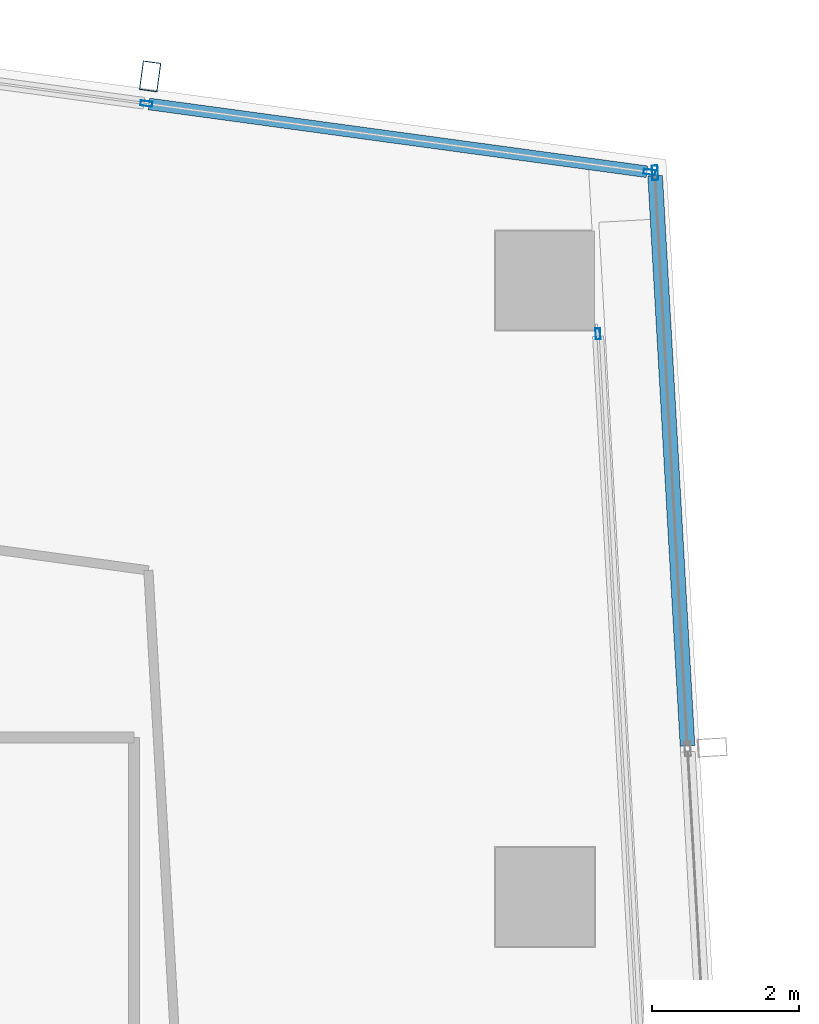
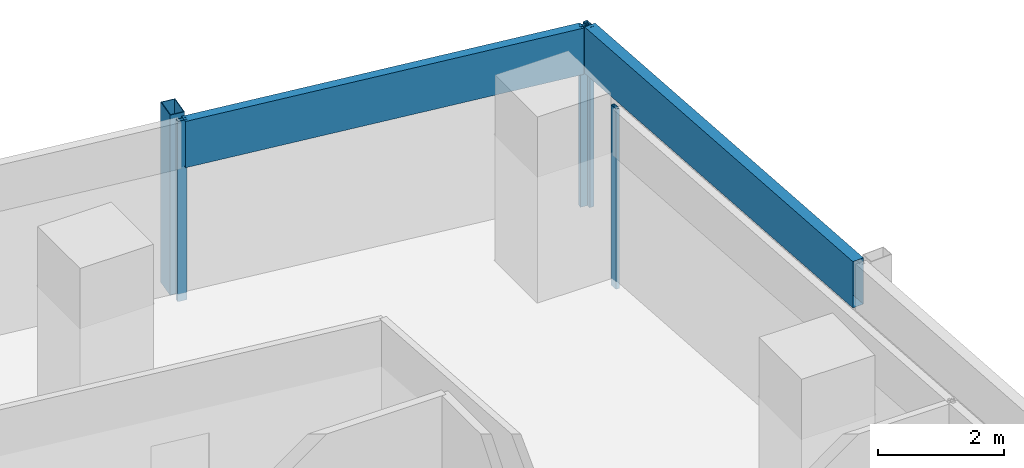
# One storey, part 24 of 39: 7 members, 3 elements without a shape of their own.
"""IFC4 building model written with IfcOpenShell, lengths in metres."""

from ifc_helpers import new_model, si_unit, direction, frame, origin, origin_2d, place, context, subcontext, project, spatial, hollow_rectangle, extrude, material, material_profile, profile_set, type_object, element, aggregate, save


model = new_model("IFC4")

# Units and contexts
model_context = context("Model", 3, precision=1e-05, world=origin(), true_north=direction((0.0, 1.0)))
body_context = subcontext(model_context, "Body", "Model", "MODEL_VIEW")
ifc_project = project(units=[si_unit("LENGTHUNIT", "METRE"), si_unit("AREAUNIT", "SQUARE_METRE"), si_unit("VOLUMEUNIT", "CUBIC_METRE"), si_unit("PLANEANGLEUNIT", "RADIAN"), si_unit("MASSUNIT", "GRAM", prefix="KILO")], contexts=[model_context])

# Site, building, storey
site_placement = place(None, origin())
site = spatial("IfcSite", under=ifc_project, at=site_placement, CompositionType="ELEMENT")
building_placement = place(site_placement, origin())
building = spatial("IfcBuilding", under=site, at=building_placement, Name="Rekha Terrace Tower", CompositionType="ELEMENT")
storey_placement = place(building_placement, frame((0.0, 0.0, 217.699951171875)))
storey = spatial("IfcBuildingStorey", under=building, at=storey_placement, Name="L55", CompositionType="ELEMENT", Elevation=217.699951171875)

# Curtain wall, member
ifc_material_1 = material(Name="Aluminium framing", Category="aluminium")
curtain_wall_type_1 = type_object("IfcCurtainWallType", Name="CW3 north unitised glazing", PredefinedType="USERDEFINED", material=ifc_material_1)
curtain_wall_1_placement = place(storey_placement, origin())
curtain_wall_1 = element("IfcCurtainWall", 1, at=curtain_wall_1_placement, inside=storey, type_object=curtain_wall_type_1, Name="CW3 unitised curtain wall", ObjectType="UNITISED CURTAIN WALL", PredefinedType="USERDEFINED")
ifc_material_2 = material(Name="Steel S355 with fluorocarbon finish", Category="steel")
ifc_material_profile_1 = material_profile(ifc_material_2, hollow_rectangle(XDim=0.25, YDim=0.39990234375, WallThickness=0.012451171875, at=origin_2d()), Name="RHS400x250x12.5")
ifc_profile_set_1 = profile_set([ifc_material_profile_1], Name="Steel S355 with fluorocarbon finish")
member_type_1 = type_object("IfcMemberType", Name="BL1 facade blade RHS 400 x 250", PredefinedType="USERDEFINED", material=ifc_profile_set_1)
member_1_placement = place(storey_placement, frame((53.419921875, 61.583251953125, 0.0), z_axis=(0.0, 0.0, 1.0), x_axis=(-0.990867309488, 0.134840553943, 0.0)))
member_1 = element("IfcMember", 2, at=member_1_placement, type_object=member_type_1, Name="Facade blade", ObjectType="FACADE BLADE", PredefinedType="USERDEFINED", context=body_context, shape_type="SweptSolid", body=[
    extrude(hollow_rectangle(XDim=0.25, YDim=0.39990234375, WallThickness=0.012451171875, at=origin_2d()), origin(), (0.0, 0.0, 1.0), 3.5),
])

curtain_wall_type_2 = type_object("IfcCurtainWallType", Name="CW1 double skin inner glazing", PredefinedType="USERDEFINED", material=ifc_material_1)
curtain_wall_2_placement = place(storey_placement, origin())
curtain_wall_2 = element("IfcCurtainWall", 3, at=curtain_wall_2_placement, inside=storey, type_object=curtain_wall_type_2, Name="CW1 double skin inner glazing", ObjectType="DOUBLE SKIN INNER GLAZING", PredefinedType="USERDEFINED")
ifc_material_3 = material(Name="Aluminium mullion section", Category="aluminium")
ifc_material_profile_2 = material_profile(ifc_material_3, hollow_rectangle(XDim=0.06494140625, YDim=0.14990234375, WallThickness=0.00390625, at=origin_2d()), Name="AL RHS 65x150")
ifc_profile_set_2 = profile_set([ifc_material_profile_2], Name="Aluminium mullion section")
member_type_2 = type_object("IfcMemberType", Name="CW1 mullion RHS 65 x 150", PredefinedType="MULLION", material=ifc_profile_set_2)
member_2_placement = place(storey_placement, frame((59.523193359375, 58.0751953125, 0.0), z_axis=(0.0, 0.0, 1.0), x_axis=(-0.998392782919, -0.05667319486, 0.0)))
member_2 = element("IfcMember", 4, at=member_2_placement, type_object=member_type_2, Name="CW1 mullion 4", PredefinedType="MULLION", context=body_context, shape_type="SweptSolid", body=[
    extrude(hollow_rectangle(XDim=0.06494140625, YDim=0.14990234375, WallThickness=0.00390625, at=origin_2d()), origin(), (0.0, 0.0, 1.0), 3.5),
])
aggregate(curtain_wall_2, [member_2])

# Curtain wall, members
curtain_wall_type_3 = type_object("IfcCurtainWallType", Name="CW2 double skin outer glazing", PredefinedType="USERDEFINED", material=ifc_material_1)
curtain_wall_3_placement = place(storey_placement, origin())
curtain_wall_3 = element("IfcCurtainWall", 5, at=curtain_wall_3_placement, inside=storey, type_object=curtain_wall_type_3, Name="CW2 double skin outer glazing", ObjectType="DOUBLE SKIN OUTER GLAZING", PredefinedType="USERDEFINED")
ifc_material_profile_3 = material_profile(ifc_material_3, hollow_rectangle(XDim=0.080078125, YDim=0.199951171875, WallThickness=0.00390625, at=origin_2d()), Name="AL RHS 80x200")
ifc_profile_set_3 = profile_set([ifc_material_profile_3], Name="Aluminium mullion section")
member_type_3 = type_object("IfcMemberType", Name="CW2 mullion RHS 80 x 200", PredefinedType="MULLION", material=ifc_profile_set_3)
member_3_placement = place(storey_placement, frame((60.300048828125, 60.269287109375, 0.0), z_axis=(0.0, 0.0, 1.0), x_axis=(-0.998392782919, -0.05667319486, 0.0)))
member_3 = element("IfcMember", 6, at=member_3_placement, type_object=member_type_3, Name="CW2 mullion 5", PredefinedType="MULLION", context=body_context, shape_type="SweptSolid", body=[
    extrude(hollow_rectangle(XDim=0.080078125, YDim=0.199951171875, WallThickness=0.00390625, at=origin_2d()), origin(), (0.0, 0.0, 1.0), 3.5),
])
ifc_material_4 = material(Name="Insulated aluminium spandrel box", Category="aluminium")
ifc_material_profile_4 = material_profile(ifc_material_4, hollow_rectangle(XDim=0.199951171875, YDim=0.89990234375, WallThickness=0.0029296875, at=origin_2d()), Name="AL SPANDREL BOX 200x900")
ifc_profile_set_4 = profile_set([ifc_material_profile_4], Name="Insulated aluminium spandrel box")
member_type_4 = type_object("IfcMemberType", Name="CW2 spandrel transom 200 x 900", PredefinedType="USERDEFINED", material=ifc_profile_set_4)
member_4_placement = place(storey_placement, frame((60.743408203125, 52.45849609375, 3.050048828125), z_axis=(-0.05667908121, 0.998392448766, 0.0), x_axis=(-0.998392448766, -0.05667908121, 0.0)))
member_4 = element("IfcMember", 7, at=member_4_placement, type_object=member_type_4, Name="CW2 spandrel transom 4", ObjectType="TRANSOM", PredefinedType="USERDEFINED", context=body_context, shape_type="SweptSolid", body=[
    extrude(hollow_rectangle(XDim=0.199951171875, YDim=0.89990234375, WallThickness=0.0029296875, at=origin_2d()), origin(), (0.0, 0.0, 1.0), 7.783447265625),
])
aggregate(curtain_wall_3, [member_3, member_4])

# Member
ifc_material_profile_5 = material_profile(ifc_material_3, hollow_rectangle(XDim=0.070068359375, YDim=0.159912109375, WallThickness=0.00390625, at=origin_2d()), Name="AL RHS 70x160")
ifc_profile_set_5 = profile_set([ifc_material_profile_5], Name="Aluminium mullion section")
member_type_5 = type_object("IfcMemberType", Name="CW3 mullion RHS 70 x 160", PredefinedType="MULLION", material=ifc_profile_set_5)
member_5_placement = place(storey_placement, frame((60.22509765625, 60.27880859375, 0.0), z_axis=(0.0, 0.0, 1.0), x_axis=(-0.134840840416, -0.990867270504, 0.0)))
member_5 = element("IfcMember", 8, at=member_5_placement, type_object=member_type_5, Name="CW3 mullion 1", PredefinedType="MULLION", context=body_context, shape_type="SweptSolid", body=[
    extrude(hollow_rectangle(XDim=0.070068359375, YDim=0.159912109375, WallThickness=0.00390625, at=origin_2d()), origin(), (0.0, 0.0, 1.0), 3.5),
])

member_6_placement = place(storey_placement, frame((53.369384765625, 61.211669921875, 0.0), z_axis=(0.0, 0.0, 1.0), x_axis=(-0.134840840416, -0.990867270504, 0.0)))
member_6 = element("IfcMember", 9, at=member_6_placement, type_object=member_type_5, Name="CW3 mullion 2", PredefinedType="MULLION", context=body_context, shape_type="SweptSolid", body=[
    extrude(hollow_rectangle(XDim=0.070068359375, YDim=0.159912109375, WallThickness=0.00390625, at=origin_2d()), origin(), (0.0, 0.0, 1.0), 3.5),
])

ifc_material_profile_6 = material_profile(ifc_material_4, hollow_rectangle(XDim=0.159912109375, YDim=0.89990234375, WallThickness=0.0029296875, at=origin_2d()), Name="AL SPANDREL BOX 160x900")
ifc_profile_set_6 = profile_set([ifc_material_profile_6], Name="Insulated aluminium spandrel box")
member_type_6 = type_object("IfcMemberType", Name="CW3 spandrel transom 160 x 900", PredefinedType="USERDEFINED", material=ifc_profile_set_6)
member_7_placement = place(storey_placement, frame((60.190185546875, 60.283447265625, 3.050048828125), z_axis=(-0.990865276141, 0.134855495022, 0.0), x_axis=(-0.134855495022, -0.990865276141, 0.0)))
member_7 = element("IfcMember", 10, at=member_7_placement, type_object=member_type_6, Name="CW3 spandrel transom 1", ObjectType="TRANSOM", PredefinedType="USERDEFINED", context=body_context, shape_type="SweptSolid", body=[
    extrude(hollow_rectangle(XDim=0.159912109375, YDim=0.89990234375, WallThickness=0.0029296875, at=origin_2d()), origin(), (0.0, 0.0, 1.0), 6.8486328125),
])

aggregate(curtain_wall_1, [member_5, member_6, member_7, member_1])

save(model, "model.ifc")
